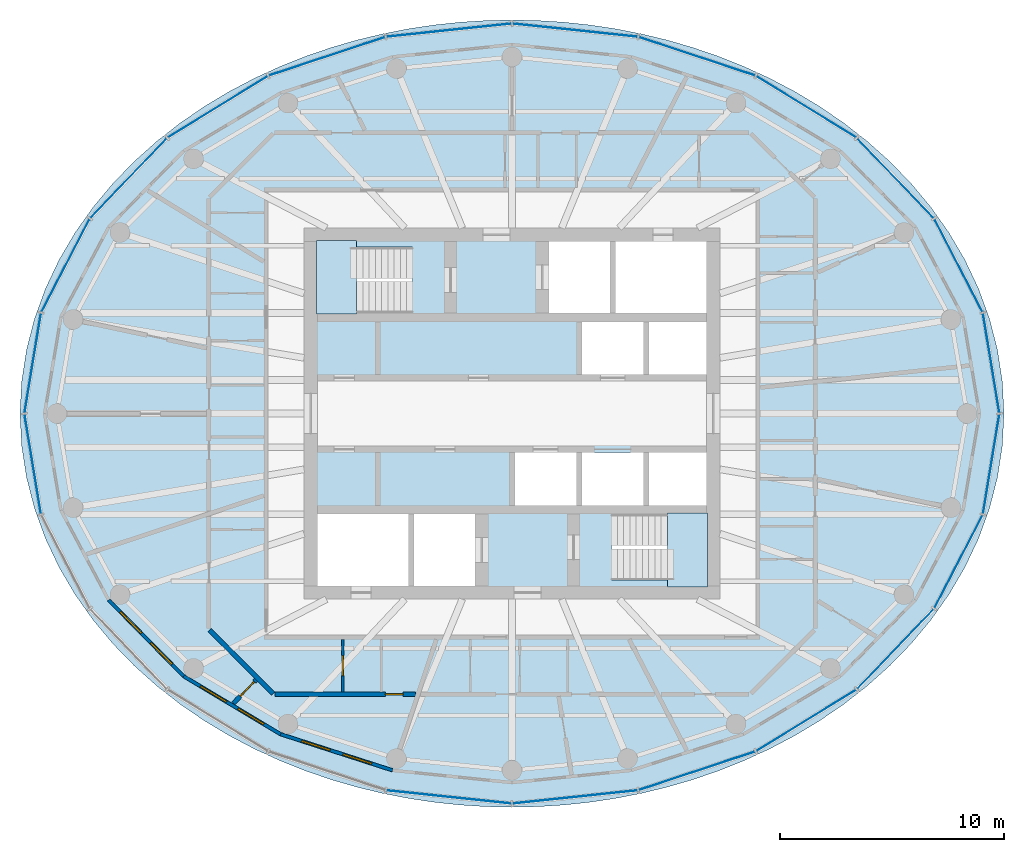
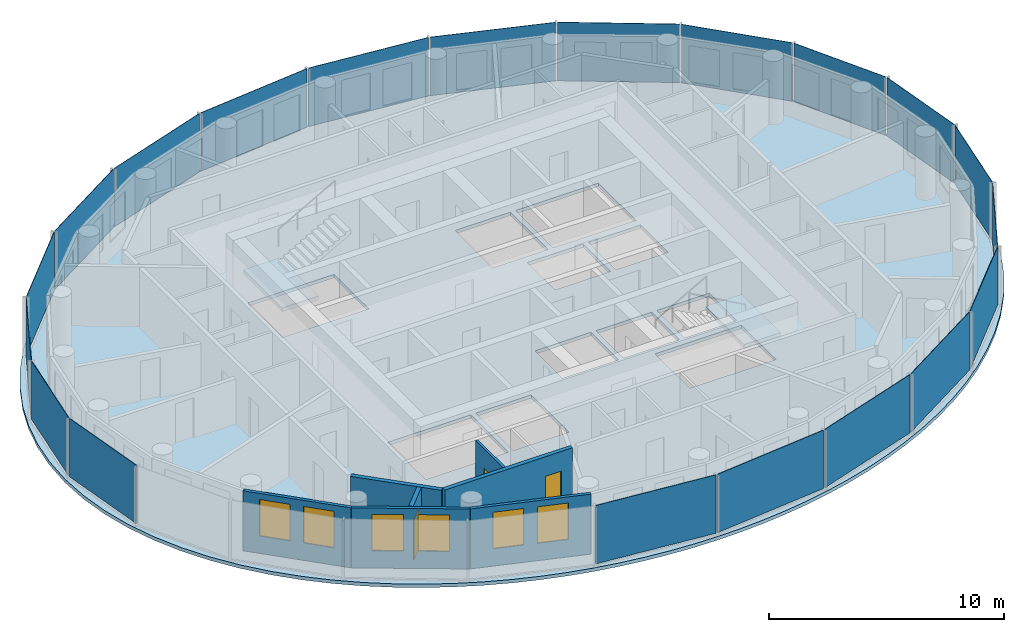
# One storey, part 4 of 11: 20 plates, 7 walls, 6 windows, 3 doors, 3 slabs, 9 openings, 6 elements without a shape of their own.
"""IFC4 building model written with IfcOpenShell, lengths in metres."""

from ifc_helpers import new_model, si_unit, direction, frame, frame_2d, origin, origin_2d, place, context, subcontext, project, spatial, polyline, rectangle, outline, extrude, material, layer, layer_set, type_object, element, fill, aggregate, save


model = new_model("IFC4")

# Units and contexts
model_context = context("Model", 3, precision=1e-05, world=origin(), true_north=direction((0.0, 1.0)))
body_context = subcontext(model_context, "Body", "Model", "MODEL_VIEW")
ifc_project = project(units=[si_unit("LENGTHUNIT", "METRE"), si_unit("AREAUNIT", "SQUARE_METRE"), si_unit("VOLUMEUNIT", "CUBIC_METRE"), si_unit("PLANEANGLEUNIT", "RADIAN"), si_unit("MASSUNIT", "GRAM", prefix="KILO")], contexts=[model_context])

# Site, building, storey
site_placement = place(None, origin())
site = spatial("IfcSite", under=ifc_project, at=site_placement, CompositionType="ELEMENT")
building_placement = place(site_placement, origin())
building = spatial("IfcBuilding", under=site, at=building_placement, Name="Hankou Lantern Tower", CompositionType="ELEMENT")
storey_placement = place(building_placement, frame((0.0, 0.0, 209.39990234375)))
storey = spatial("IfcBuildingStorey", under=building, at=storey_placement, Name="L56", CompositionType="ELEMENT", Elevation=209.39990234375)

# Curtain wall, plates
ifc_material_1 = material(Name="Glass, dark grey tinted laminated", Category="glass")
curtain_wall_type = type_object("IfcCurtainWallType", Name="CWD OUTER SKIN SUITE", PredefinedType="USERDEFINED", material=ifc_material_1)
curtain_wall_1_placement = place(storey_placement, origin())
curtain_wall_1 = element("IfcCurtainWall", 1, at=curtain_wall_1_placement, inside=storey, type_object=curtain_wall_type, Name="CWD L56 OS1", ObjectType="OUTER SKIN SUITE", PredefinedType="USERDEFINED")
ifc_material_2 = material(Name="Glass, dark grey tinted laminated", Category="glass")
ifc_layer_1 = layer(ifc_material_2, 0.02392578125)
ifc_layer_set_1 = layer_set([ifc_layer_1], Name="Glass, dark grey tinted laminated")
plate_type = type_object("IfcPlateType", Name="PN1 OUTER SKIN GLASS PANEL", PredefinedType="CURTAIN_PANEL", material=ifc_layer_set_1)
plate_1_placement = place(storey_placement, frame((21.4287109375, 2.2568359375, 0.080078125), z_axis=(0.0, 0.0, 1.0), x_axis=(-0.162381515188, 0.986728049427, 0.0)))
plate_1 = element("IfcPlate", 2, at=plate_1_placement, type_object=plate_type, Name="CWD glass panel 1", PredefinedType="CURTAIN_PANEL", context=body_context, shape_type="SweptSolid", body=[
    extrude(rectangle(XDim=4.49462890625, YDim=0.02392578125, at=origin_2d()), origin(), (0.0, 0.0, 1.0), 3.0400390625),
])
plate_2_placement = place(storey_placement, frame((19.96826171875, 6.616943359375, 0.080078125), z_axis=(0.0, 0.0, 1.0), x_axis=(-0.459791091957, 0.888027112062, 0.0)))
plate_2 = element("IfcPlate", 3, at=plate_2_placement, type_object=plate_type, Name="CWD glass panel 2", PredefinedType="CURTAIN_PANEL", context=body_context, shape_type="SweptSolid", body=[
    extrude(rectangle(XDim=4.656494140625, YDim=0.02392578125, at=origin_2d()), origin(), (0.0, 0.0, 1.0), 3.0400390625),
])
plate_3_placement = place(storey_placement, frame((17.147216796875, 10.52587890625, 0.080078125), z_axis=(0.0, 0.0, 1.0), x_axis=(-0.692215809936, 0.721690565599, 0.0)))
plate_3 = element("IfcPlate", 4, at=plate_3_placement, type_object=plate_type, Name="CWD glass panel 3", PredefinedType="CURTAIN_PANEL", context=body_context, shape_type="SweptSolid", body=[
    extrude(rectangle(XDim=4.9248046875, YDim=0.02392578125, at=origin_2d()), origin(), (0.0, 0.0, 1.0), 3.0400390625),
])
plate_4_placement = place(storey_placement, frame((13.157470703125, 13.7177734375, 0.080078125), z_axis=(0.0, 0.0, 1.0), x_axis=(-0.852237151549, 0.523155653242, 0.0)))
plate_4 = element("IfcPlate", 5, at=plate_4_placement, type_object=plate_type, Name="CWD glass panel 4", PredefinedType="CURTAIN_PANEL", context=body_context, shape_type="SweptSolid", body=[
    extrude(rectangle(XDim=5.2177734375, YDim=0.02392578125, at=origin_2d()), origin(), (0.0, 0.0, 1.0), 3.0400390625),
])
plate_5_placement = place(storey_placement, frame((8.271240234375, 15.974609375, 0.080078125), z_axis=(0.0, 0.0, 1.0), x_axis=(-0.949240677293, 0.31455068999, 0.0)))
plate_5 = element("IfcPlate", 6, at=plate_5_placement, type_object=plate_type, Name="CWD glass panel 5", PredefinedType="CURTAIN_PANEL", context=body_context, shape_type="SweptSolid", body=[
    extrude(rectangle(XDim=5.458984375, YDim=0.02392578125, at=origin_2d()), origin(), (0.0, 0.0, 1.0), 3.0400390625),
])
plate_6_placement = place(storey_placement, frame((2.821044921875, 17.142822265625, 0.080078125), z_axis=(0.0, 0.0, 1.0), x_axis=(-0.994499359107, 0.104742659579, 0.0)))
plate_6 = element("IfcPlate", 7, at=plate_6_placement, type_object=plate_type, Name="CWD glass panel 6", PredefinedType="CURTAIN_PANEL", context=body_context, shape_type="SweptSolid", body=[
    extrude(rectangle(XDim=5.593505859375, YDim=0.02392578125, at=origin_2d()), origin(), (0.0, 0.0, 1.0), 3.0400390625),
])
aggregate(curtain_wall_1, [plate_1, plate_2, plate_3, plate_4, plate_5, plate_6])

curtain_wall_2_placement = place(storey_placement, origin())
curtain_wall_2 = element("IfcCurtainWall", 8, at=curtain_wall_2_placement, inside=storey, type_object=curtain_wall_type, Name="CWD L56 OS2", ObjectType="OUTER SKIN SUITE", PredefinedType="USERDEFINED")
plate_7_placement = place(storey_placement, frame((-2.821044921875, 17.142822265625, 0.080078125), z_axis=(0.0, 0.0, 1.0), x_axis=(-0.994499359107, -0.104742659579, 0.0)))
plate_7 = element("IfcPlate", 9, at=plate_7_placement, type_object=plate_type, Name="CWD glass panel 1", PredefinedType="CURTAIN_PANEL", context=body_context, shape_type="SweptSolid", body=[
    extrude(rectangle(XDim=5.593505859375, YDim=0.02392578125, at=origin_2d()), origin(), (0.0, 0.0, 1.0), 3.0400390625),
])
plate_8_placement = place(storey_placement, frame((-8.271240234375, 15.974609375, 0.080078125), z_axis=(0.0, 0.0, 1.0), x_axis=(-0.949240677293, -0.31455068999, 0.0)))
plate_8 = element("IfcPlate", 10, at=plate_8_placement, type_object=plate_type, Name="CWD glass panel 2", PredefinedType="CURTAIN_PANEL", context=body_context, shape_type="SweptSolid", body=[
    extrude(rectangle(XDim=5.458984375, YDim=0.02392578125, at=origin_2d()), origin(), (0.0, 0.0, 1.0), 3.0400390625),
])
plate_9_placement = place(storey_placement, frame((-13.157470703125, 13.7177734375, 0.080078125), z_axis=(0.0, 0.0, 1.0), x_axis=(-0.852237151549, -0.523155653242, 0.0)))
plate_9 = element("IfcPlate", 11, at=plate_9_placement, type_object=plate_type, Name="CWD glass panel 3", PredefinedType="CURTAIN_PANEL", context=body_context, shape_type="SweptSolid", body=[
    extrude(rectangle(XDim=5.2177734375, YDim=0.02392578125, at=origin_2d()), origin(), (0.0, 0.0, 1.0), 3.0400390625),
])
plate_10_placement = place(storey_placement, frame((-17.147216796875, 10.52587890625, 0.080078125), z_axis=(0.0, 0.0, 1.0), x_axis=(-0.692215809936, -0.721690565599, 0.0)))
plate_10 = element("IfcPlate", 12, at=plate_10_placement, type_object=plate_type, Name="CWD glass panel 4", PredefinedType="CURTAIN_PANEL", context=body_context, shape_type="SweptSolid", body=[
    extrude(rectangle(XDim=4.9248046875, YDim=0.02392578125, at=origin_2d()), origin(), (0.0, 0.0, 1.0), 3.0400390625),
])
plate_11_placement = place(storey_placement, frame((-19.96826171875, 6.616943359375, 0.080078125), z_axis=(0.0, 0.0, 1.0), x_axis=(-0.459791091957, -0.888027112062, 0.0)))
plate_11 = element("IfcPlate", 13, at=plate_11_placement, type_object=plate_type, Name="CWD glass panel 5", PredefinedType="CURTAIN_PANEL", context=body_context, shape_type="SweptSolid", body=[
    extrude(rectangle(XDim=4.656494140625, YDim=0.02392578125, at=origin_2d()), origin(), (0.0, 0.0, 1.0), 3.0400390625),
])
plate_12_placement = place(storey_placement, frame((-21.4287109375, 2.2568359375, 0.080078125), z_axis=(0.0, 0.0, 1.0), x_axis=(-0.162381515188, -0.986728049427, 0.0)))
plate_12 = element("IfcPlate", 14, at=plate_12_placement, type_object=plate_type, Name="CWD glass panel 6", PredefinedType="CURTAIN_PANEL", context=body_context, shape_type="SweptSolid", body=[
    extrude(rectangle(XDim=4.49462890625, YDim=0.02392578125, at=origin_2d()), origin(), (0.0, 0.0, 1.0), 3.0400390625),
])
aggregate(curtain_wall_2, [plate_7, plate_8, plate_9, plate_10, plate_11, plate_12])

curtain_wall_3_placement = place(storey_placement, origin())
curtain_wall_3 = element("IfcCurtainWall", 15, at=curtain_wall_3_placement, inside=storey, type_object=curtain_wall_type, Name="CWD L56 OS3", ObjectType="OUTER SKIN SUITE", PredefinedType="USERDEFINED")
plate_13_placement = place(storey_placement, frame((-21.4287109375, -2.2568359375, 0.080078125), z_axis=(0.0, 0.0, 1.0), x_axis=(0.162381515188, -0.986728049427, 0.0)))
plate_13 = element("IfcPlate", 16, at=plate_13_placement, type_object=plate_type, Name="CWD glass panel 1", PredefinedType="CURTAIN_PANEL", context=body_context, shape_type="SweptSolid", body=[
    extrude(rectangle(XDim=4.49462890625, YDim=0.02392578125, at=origin_2d()), origin(), (0.0, 0.0, 1.0), 3.0400390625),
])
plate_14_placement = place(storey_placement, frame((-2.821044921875, -17.142822265625, 0.080078125), z_axis=(0.0, 0.0, 1.0), x_axis=(0.994499359107, -0.104742659579, 0.0)))
plate_14 = element("IfcPlate", 17, at=plate_14_placement, type_object=plate_type, Name="CWD glass panel 6", PredefinedType="CURTAIN_PANEL", context=body_context, shape_type="SweptSolid", body=[
    extrude(rectangle(XDim=5.593505859375, YDim=0.02392578125, at=origin_2d()), origin(), (0.0, 0.0, 1.0), 3.0400390625),
])
aggregate(curtain_wall_3, [plate_13, plate_14])

curtain_wall_4_placement = place(storey_placement, origin())
curtain_wall_4 = element("IfcCurtainWall", 18, at=curtain_wall_4_placement, inside=storey, type_object=curtain_wall_type, Name="CWD L56 OS4", ObjectType="OUTER SKIN SUITE", PredefinedType="USERDEFINED")
plate_15_placement = place(storey_placement, frame((2.821044921875, -17.142822265625, 0.080078125), z_axis=(0.0, 0.0, 1.0), x_axis=(0.994499359107, 0.104742659579, 0.0)))
plate_15 = element("IfcPlate", 19, at=plate_15_placement, type_object=plate_type, Name="CWD glass panel 1", PredefinedType="CURTAIN_PANEL", context=body_context, shape_type="SweptSolid", body=[
    extrude(rectangle(XDim=5.593505859375, YDim=0.02392578125, at=origin_2d()), origin(), (0.0, 0.0, 1.0), 3.0400390625),
])
plate_16_placement = place(storey_placement, frame((8.271240234375, -15.974609375, 0.080078125), z_axis=(0.0, 0.0, 1.0), x_axis=(0.949240677293, 0.31455068999, 0.0)))
plate_16 = element("IfcPlate", 20, at=plate_16_placement, type_object=plate_type, Name="CWD glass panel 2", PredefinedType="CURTAIN_PANEL", context=body_context, shape_type="SweptSolid", body=[
    extrude(rectangle(XDim=5.458984375, YDim=0.02392578125, at=origin_2d()), origin(), (0.0, 0.0, 1.0), 3.0400390625),
])
plate_17_placement = place(storey_placement, frame((13.157470703125, -13.7177734375, 0.080078125), z_axis=(0.0, 0.0, 1.0), x_axis=(0.852237151549, 0.523155653242, 0.0)))
plate_17 = element("IfcPlate", 21, at=plate_17_placement, type_object=plate_type, Name="CWD glass panel 3", PredefinedType="CURTAIN_PANEL", context=body_context, shape_type="SweptSolid", body=[
    extrude(rectangle(XDim=5.2177734375, YDim=0.02392578125, at=origin_2d()), origin(), (0.0, 0.0, 1.0), 3.0400390625),
])
plate_18_placement = place(storey_placement, frame((17.147216796875, -10.52587890625, 0.080078125), z_axis=(0.0, 0.0, 1.0), x_axis=(0.692215809936, 0.721690565599, 0.0)))
plate_18 = element("IfcPlate", 22, at=plate_18_placement, type_object=plate_type, Name="CWD glass panel 4", PredefinedType="CURTAIN_PANEL", context=body_context, shape_type="SweptSolid", body=[
    extrude(rectangle(XDim=4.9248046875, YDim=0.02392578125, at=origin_2d()), origin(), (0.0, 0.0, 1.0), 3.0400390625),
])
plate_19_placement = place(storey_placement, frame((19.96826171875, -6.616943359375, 0.080078125), z_axis=(0.0, 0.0, 1.0), x_axis=(0.459791091957, 0.888027112062, 0.0)))
plate_19 = element("IfcPlate", 23, at=plate_19_placement, type_object=plate_type, Name="CWD glass panel 5", PredefinedType="CURTAIN_PANEL", context=body_context, shape_type="SweptSolid", body=[
    extrude(rectangle(XDim=4.656494140625, YDim=0.02392578125, at=origin_2d()), origin(), (0.0, 0.0, 1.0), 3.0400390625),
])
plate_20_placement = place(storey_placement, frame((21.4287109375, -2.2568359375, 0.080078125), z_axis=(0.0, 0.0, 1.0), x_axis=(0.162381515188, 0.986728049427, 0.0)))
plate_20 = element("IfcPlate", 24, at=plate_20_placement, type_object=plate_type, Name="CWD glass panel 6", PredefinedType="CURTAIN_PANEL", context=body_context, shape_type="SweptSolid", body=[
    extrude(rectangle(XDim=4.49462890625, YDim=0.02392578125, at=origin_2d()), origin(), (0.0, 0.0, 1.0), 3.0400390625),
])
aggregate(curtain_wall_4, [plate_15, plate_16, plate_17, plate_18, plate_19, plate_20])

# Slab
ifc_material_3 = material(Name="Concrete C50", Category="concrete")
ifc_layer_2 = layer(ifc_material_3, 0.179931640625)
ifc_layer_set_2 = layer_set([ifc_layer_2], Name="Concrete C50")
slab_type_1 = type_object("IfcSlabType", Name="S1 CONCRETE FLOOR SLAB 180", PredefinedType="FLOOR", material=ifc_layer_set_2)
slab_1_placement = place(storey_placement, frame((0.0, 0.0, -0.179931640625)))
element("IfcSlab", 25, at=slab_1_placement, inside=storey, type_object=slab_type_1, Name="Floor slab L56", PredefinedType="FLOOR", context=body_context, shape_type="SweptSolid", body=[
    extrude(outline(polyline([(22.0, 0.0), (21.926513671875, 1.437255859375), (21.7080078125, 2.85791015625), (21.349853515625, 4.246826171875), (20.861083984375, 5.589599609375), (20.252197265625, 6.874755859375), (19.53662109375, 8.09228515625), (18.727783203125, 9.235595703125), (17.83935546875, 10.299560546875), (16.88525390625, 11.2822265625), (15.877197265625, 12.18310546875), (14.82666015625, 13.002685546875), (13.743408203125, 13.743408203125), (12.63525390625, 14.40771484375), (11.509521484375, 14.999267578125), (10.37109375, 15.521728515625), (9.224853515625, 15.97802734375), (8.07373046875, 16.3720703125), (6.920166015625, 16.70654296875), (5.765625, 16.98486328125), (4.611083984375, 17.208984375), (3.457275390625, 17.38134765625), (2.304443359375, 17.503173828125), (1.152099609375, 17.575927734375), (0.0, 17.60009765625), (-1.152099609375, 17.575927734375), (-2.304443359375, 17.503173828125), (-3.457275390625, 17.38134765625), (-4.611083984375, 17.208984375), (-5.765625, 16.98486328125), (-6.920166015625, 16.70654296875), (-8.07373046875, 16.3720703125), (-9.224853515625, 15.97802734375), (-10.37109375, 15.521728515625), (-11.509521484375, 14.999267578125), (-12.63525390625, 14.40771484375), (-13.743408203125, 13.743408203125), (-14.82666015625, 13.002685546875), (-15.877197265625, 12.18310546875), (-16.88525390625, 11.2822265625), (-17.83935546875, 10.299560546875), (-18.727783203125, 9.235595703125), (-19.53662109375, 8.09228515625), (-20.252197265625, 6.874755859375), (-20.861083984375, 5.589599609375), (-21.349853515625, 4.246826171875), (-21.7080078125, 2.85791015625), (-21.926513671875, 1.437255859375), (-22.0, 0.0), (-21.926513671875, -1.437255859375), (-21.7080078125, -2.85791015625), (-21.349853515625, -4.246826171875), (-20.861083984375, -5.589599609375), (-20.252197265625, -6.874755859375), (-19.53662109375, -8.09228515625), (-18.727783203125, -9.235595703125), (-17.83935546875, -10.299560546875), (-16.88525390625, -11.2822265625), (-15.877197265625, -12.18310546875), (-14.82666015625, -13.002685546875), (-13.743408203125, -13.743408203125), (-12.63525390625, -14.40771484375), (-11.509521484375, -14.999267578125), (-10.37109375, -15.521728515625), (-9.224853515625, -15.97802734375), (-8.07373046875, -16.3720703125), (-6.920166015625, -16.70654296875), (-5.765625, -16.98486328125), (-4.611083984375, -17.208984375), (-3.457275390625, -17.38134765625), (-2.304443359375, -17.503173828125), (-1.152099609375, -17.575927734375), (0.0, -17.60009765625), (1.152099609375, -17.575927734375), (2.304443359375, -17.503173828125), (3.457275390625, -17.38134765625), (4.611083984375, -17.208984375), (5.765625, -16.98486328125), (6.920166015625, -16.70654296875), (8.07373046875, -16.3720703125), (9.224853515625, -15.97802734375), (10.37109375, -15.521728515625), (11.509521484375, -14.999267578125), (12.63525390625, -14.40771484375), (13.743408203125, -13.743408203125), (14.82666015625, -13.002685546875), (15.877197265625, -12.18310546875), (16.88525390625, -11.2822265625), (17.83935546875, -10.299560546875), (18.727783203125, -9.235595703125), (19.53662109375, -8.09228515625), (20.252197265625, -6.874755859375), (20.861083984375, -5.589599609375), (21.349853515625, -4.246826171875), (21.7080078125, -2.85791015625), (21.926513671875, -1.437255859375), (22.0, 0.0)]), holes=[polyline([(3.125, 4.10009765625), (5.875, 4.10009765625), (5.875, 1.75), (3.125, 1.75), (3.125, 4.10009765625)]), polyline([(6.125, 4.10009765625), (8.699951171875, 4.10009765625), (8.699951171875, 1.75), (6.125, 1.75), (6.125, 4.10009765625)]), polyline([(0.125, -1.75), (2.875, -1.75), (2.875, -4.10009765625), (0.125, -4.10009765625), (0.125, -1.75)]), polyline([(3.125, -1.75), (5.875, -1.75), (5.875, -4.10009765625), (3.125, -4.10009765625), (3.125, -1.75)]), polyline([(6.125, -1.75), (8.699951171875, -1.75), (8.699951171875, -4.10009765625), (6.125, -4.10009765625), (6.125, -1.75)]), polyline([(1.64990234375, 7.699951171875), (4.375, 7.699951171875), (4.375, 4.5), (1.64990234375, 4.5), (1.64990234375, 7.699951171875)]), polyline([(-4.375, -4.5), (-1.64990234375, -4.5), (-1.64990234375, -7.699951171875), (-4.375, -7.699951171875), (-4.375, -4.5)]), polyline([(-8.699951171875, 7.449951171875), (-4.449951171875, 7.449951171875), (-4.449951171875, 4.5), (-8.699951171875, 4.5), (-8.699951171875, 7.449951171875)]), polyline([(4.449951171875, -4.5), (8.699951171875, -4.5), (8.699951171875, -7.449951171875), (4.449951171875, -7.449951171875), (4.449951171875, -4.5)]), polyline([(4.625, 7.699951171875), (8.699951171875, 7.699951171875), (8.699951171875, 4.5), (4.625, 4.5), (4.625, 7.699951171875)]), polyline([(-8.699951171875, -4.5), (-4.625, -4.5), (-4.625, -7.699951171875), (-8.699951171875, -7.699951171875), (-8.699951171875, -4.5)])]), origin(), (0.0, 0.0, 1.0), 0.179931640625),
])

# Stair, slab
ifc_material_4 = material(Name="Concrete C40", Category="concrete")
stair_type = type_object("IfcStairType", Name="ST33 CORE STAIR 3300 RISE", PredefinedType="HALF_TURN_STAIR", material=ifc_material_4)
stair_1_placement = place(storey_placement, origin())
stair_1 = element("IfcStair", 26, at=stair_1_placement, inside=storey, type_object=stair_type, Name="Stair STA L56", PredefinedType="HALF_TURN_STAIR")
ifc_material_5 = material(Name="Concrete C40", Category="concrete")
ifc_layer_3 = layer(ifc_material_5, 0.199951171875)
ifc_layer_set_3 = layer_set([ifc_layer_3], Name="Concrete C40")
slab_type_2 = type_object("IfcSlabType", Name="SL1 STAIR LANDING 200", PredefinedType="LANDING", material=ifc_layer_set_3)
slab_2_placement = place(storey_placement, frame((0.0, 0.0, 1.37158203125)))
slab_2 = element("IfcSlab", 27, at=slab_2_placement, type_object=slab_type_2, Name="STA landing 1", PredefinedType="LANDING", context=body_context, shape_type="SweptSolid", body=[
    extrude(outline(polyline([(-8.75, 4.449951171875), (-6.949951171875, 4.449951171875), (-6.949951171875, 7.75), (-8.75, 7.75), (-8.75, 4.449951171875)])), origin(), (0.0, 0.0, 1.0), 0.199951171875),
])
aggregate(stair_1, [slab_2])

stair_2_placement = place(storey_placement, origin())
stair_2 = element("IfcStair", 28, at=stair_2_placement, inside=storey, type_object=stair_type, Name="Stair STB L56", PredefinedType="HALF_TURN_STAIR")
slab_3_placement = place(storey_placement, frame((0.0, 0.0, 1.37158203125)))
slab_3 = element("IfcSlab", 29, at=slab_3_placement, type_object=slab_type_2, Name="STB landing 1", PredefinedType="LANDING", context=body_context, shape_type="SweptSolid", body=[
    extrude(outline(polyline([(8.75, -4.449951171875), (6.949951171875, -4.449951171875), (6.949951171875, -7.75), (8.75, -7.75), (8.75, -4.449951171875)])), origin(), (0.0, 0.0, 1.0), 0.199951171875),
])
aggregate(stair_2, [slab_3])

# Wall, openings, windows
ifc_material_6 = material(Name="Aluminium spandrel panel on steel studs", Category="steel")
ifc_layer_4 = layer(ifc_material_6, 0.14990234375)
ifc_layer_set_4 = layer_set([ifc_layer_4], Name="Aluminium spandrel panel on steel studs")
wall_type_1 = type_object("IfcWallType", Name="EW1 INNER SKIN WALL 150", PredefinedType="ELEMENTEDWALL", material=ifc_layer_set_4)
wall_1_placement = place(storey_placement, frame((-18.03955078125, -8.33203125, 0.0), z_axis=(0.0, 0.0, 1.0), x_axis=(0.701527379618, -0.712642501993, 0.0)))
wall_1 = element("IfcWall", 30, at=wall_1_placement, inside=storey, type_object=wall_type_1, Name="Inner skin R15-R16 L56", PredefinedType="ELEMENTEDWALL", context=body_context, shape_type="SweptSolid", body=[
    extrude(rectangle(XDim=4.788330078125, YDim=0.14990234375, at=frame_2d((2.39404296875, 0.0))), origin(), (0.0, 0.0, 1.0), 3.1201171875),
])
opening_1_placement = place(wall_1_placement, frame((0.744140625, 0.0, 0.89990234375)))
opening_1 = element("IfcOpeningElement", 31, at=opening_1_placement, cuts=wall_1, Name="Opening W4", PredefinedType="OPENING", context=body_context, shape_type="SweptSolid", body=[
    extrude(rectangle(XDim=1.35009765625, YDim=1.89990234375, at=frame_2d((0.675048828125, 0.949951171875))), frame((0.0, 0.0849609375, 0.0), z_axis=(0.0, -1.0, 0.0), x_axis=(1.0, 0.0, 0.0)), (0.0, 0.0, 1.0), 0.169921875),
])
opening_2_placement = place(wall_1_placement, frame((2.694091796875, 0.0, 0.89990234375)))
opening_2 = element("IfcOpeningElement", 32, at=opening_2_placement, cuts=wall_1, Name="Opening W4", PredefinedType="OPENING", context=body_context, shape_type="SweptSolid", body=[
    extrude(rectangle(XDim=1.35009765625, YDim=1.89990234375, at=frame_2d((0.675048828125, 0.949951171875))), frame((0.0, 0.0849609375, 0.0), z_axis=(0.0, -1.0, 0.0), x_axis=(1.0, 0.0, 0.0)), (0.0, 0.0, 1.0), 0.169921875),
])
ifc_material_7 = material(Name="Aluminium framed double glazed window", Category="aluminium")
window_type = type_object("IfcWindowType", Name="W4 SUITE WINDOW 1350X1900", PartitioningType="DOUBLE_PANEL_VERTICAL", PredefinedType="WINDOW", material=ifc_material_7)
window_1_placement = place(opening_1_placement, origin())
window_1 = element("IfcWindow", 33, at=window_1_placement, inside=storey, type_object=window_type, Name="Window R15.1 L56", OverallHeight=1.89990234375, OverallWidth=1.35009765625, PartitioningType="SINGLE_PANEL", PredefinedType="WINDOW", context=body_context, shape_type="SweptSolid", body=[
    extrude(rectangle(XDim=1.35009765625, YDim=1.89990234375, at=frame_2d((0.675048828125, 0.949951171875))), frame((0.0, 0.030029296875, 0.0), z_axis=(0.0, -1.0, 0.0), x_axis=(1.0, 0.0, 0.0)), (0.0, 0.0, 1.0), 0.06005859375),
])
fill(opening_1, window_1)
window_2_placement = place(opening_2_placement, origin())
window_2 = element("IfcWindow", 34, at=window_2_placement, inside=storey, type_object=window_type, Name="Window R15.2 L56", OverallHeight=1.89990234375, OverallWidth=1.35009765625, PartitioningType="SINGLE_PANEL", PredefinedType="WINDOW", context=body_context, shape_type="SweptSolid", body=[
    extrude(rectangle(XDim=1.35009765625, YDim=1.89990234375, at=frame_2d((0.675048828125, 0.949951171875))), frame((0.0, 0.030029296875, 0.0), z_axis=(0.0, -1.0, 0.0), x_axis=(1.0, 0.0, 0.0)), (0.0, 0.0, 1.0), 0.06005859375),
])
fill(opening_2, window_2)

wall_2_placement = place(storey_placement, frame((-14.680419921875, -11.744384765625, 0.0), z_axis=(0.0, 0.0, 1.0), x_axis=(0.85822150553, -0.513279502265, 0.0)))
wall_2 = element("IfcWall", 35, at=wall_2_placement, inside=storey, type_object=wall_type_1, Name="Inner skin R16-R17 L56", PredefinedType="ELEMENTEDWALL", context=body_context, shape_type="SweptSolid", body=[
    extrude(rectangle(XDim=5.050048828125, YDim=0.14990234375, at=frame_2d((2.52490234375, 0.0))), origin(), (0.0, 0.0, 1.0), 3.1201171875),
])
opening_3_placement = place(wall_2_placement, frame((0.875, 0.0, 0.89990234375)))
opening_3 = element("IfcOpeningElement", 36, at=opening_3_placement, cuts=wall_2, Name="Opening W4", PredefinedType="OPENING", context=body_context, shape_type="SweptSolid", body=[
    extrude(rectangle(XDim=1.35009765625, YDim=1.89990234375, at=frame_2d((0.675048828125, 0.949951171875))), frame((0.0, 0.0849609375, 0.0), z_axis=(0.0, -1.0, 0.0), x_axis=(1.0, 0.0, 0.0)), (0.0, 0.0, 1.0), 0.169921875),
])
opening_4_placement = place(wall_2_placement, frame((2.824951171875, 0.0, 0.89990234375)))
opening_4 = element("IfcOpeningElement", 37, at=opening_4_placement, cuts=wall_2, Name="Opening W4", PredefinedType="OPENING", context=body_context, shape_type="SweptSolid", body=[
    extrude(rectangle(XDim=1.35009765625, YDim=1.89990234375, at=frame_2d((0.675048828125, 0.949951171875))), frame((0.0, 0.0849609375, 0.0), z_axis=(0.0, -1.0, 0.0), x_axis=(1.0, 0.0, 0.0)), (0.0, 0.0, 1.0), 0.169921875),
])
window_3_placement = place(opening_3_placement, origin())
window_3 = element("IfcWindow", 38, at=window_3_placement, inside=storey, type_object=window_type, Name="Window R16.1 L56", OverallHeight=1.89990234375, OverallWidth=1.35009765625, PartitioningType="SINGLE_PANEL", PredefinedType="WINDOW", context=body_context, shape_type="SweptSolid", body=[
    extrude(rectangle(XDim=1.35009765625, YDim=1.89990234375, at=frame_2d((0.675048828125, 0.949951171875))), frame((0.0, 0.030029296875, 0.0), z_axis=(0.0, -1.0, 0.0), x_axis=(1.0, 0.0, 0.0)), (0.0, 0.0, 1.0), 0.06005859375),
])
fill(opening_3, window_3)
window_4_placement = place(opening_4_placement, origin())
window_4 = element("IfcWindow", 39, at=window_4_placement, inside=storey, type_object=window_type, Name="Window R16.2 L56", OverallHeight=1.89990234375, OverallWidth=1.35009765625, PartitioningType="SINGLE_PANEL", PredefinedType="WINDOW", context=body_context, shape_type="SweptSolid", body=[
    extrude(rectangle(XDim=1.35009765625, YDim=1.89990234375, at=frame_2d((0.675048828125, 0.949951171875))), frame((0.0, 0.030029296875, 0.0), z_axis=(0.0, -1.0, 0.0), x_axis=(1.0, 0.0, 0.0)), (0.0, 0.0, 1.0), 0.06005859375),
])
fill(opening_4, window_4)

wall_3_placement = place(storey_placement, frame((-10.346435546875, -14.33642578125, 0.0), z_axis=(0.0, 0.0, 1.0), x_axis=(0.951644702515, -0.307200846638, 0.0)))
wall_3 = element("IfcWall", 40, at=wall_3_placement, inside=storey, type_object=wall_type_1, Name="Inner skin R17-R18 L56", PredefinedType="ELEMENTEDWALL", context=body_context, shape_type="SweptSolid", body=[
    extrude(rectangle(XDim=5.2578125, YDim=0.14990234375, at=frame_2d((2.62890625, 0.0))), origin(), (0.0, 0.0, 1.0), 3.1201171875),
])
opening_5_placement = place(wall_3_placement, frame((0.97900390625, 0.0, 0.89990234375)))
opening_5 = element("IfcOpeningElement", 41, at=opening_5_placement, cuts=wall_3, Name="Opening W4", PredefinedType="OPENING", context=body_context, shape_type="SweptSolid", body=[
    extrude(rectangle(XDim=1.35009765625, YDim=1.89990234375, at=frame_2d((0.675048828125, 0.949951171875))), frame((0.0, 0.0849609375, 0.0), z_axis=(0.0, -1.0, 0.0), x_axis=(1.0, 0.0, 0.0)), (0.0, 0.0, 1.0), 0.169921875),
])
opening_6_placement = place(wall_3_placement, frame((2.928955078125, 0.0, 0.89990234375)))
opening_6 = element("IfcOpeningElement", 42, at=opening_6_placement, cuts=wall_3, Name="Opening W4", PredefinedType="OPENING", context=body_context, shape_type="SweptSolid", body=[
    extrude(rectangle(XDim=1.35009765625, YDim=1.89990234375, at=frame_2d((0.675048828125, 0.949951171875))), frame((0.0, 0.0849609375, 0.0), z_axis=(0.0, -1.0, 0.0), x_axis=(1.0, 0.0, 0.0)), (0.0, 0.0, 1.0), 0.169921875),
])
window_5_placement = place(opening_5_placement, origin())
window_5 = element("IfcWindow", 43, at=window_5_placement, inside=storey, type_object=window_type, Name="Window R17.1 L56", OverallHeight=1.89990234375, OverallWidth=1.35009765625, PartitioningType="SINGLE_PANEL", PredefinedType="WINDOW", context=body_context, shape_type="SweptSolid", body=[
    extrude(rectangle(XDim=1.35009765625, YDim=1.89990234375, at=frame_2d((0.675048828125, 0.949951171875))), frame((0.0, 0.030029296875, 0.0), z_axis=(0.0, -1.0, 0.0), x_axis=(1.0, 0.0, 0.0)), (0.0, 0.0, 1.0), 0.06005859375),
])
fill(opening_5, window_5)
window_6_placement = place(opening_6_placement, origin())
window_6 = element("IfcWindow", 44, at=window_6_placement, inside=storey, type_object=window_type, Name="Window R17.2 L56", OverallHeight=1.89990234375, OverallWidth=1.35009765625, PartitioningType="SINGLE_PANEL", PredefinedType="WINDOW", context=body_context, shape_type="SweptSolid", body=[
    extrude(rectangle(XDim=1.35009765625, YDim=1.89990234375, at=frame_2d((0.675048828125, 0.949951171875))), frame((0.0, 0.030029296875, 0.0), z_axis=(0.0, -1.0, 0.0), x_axis=(1.0, 0.0, 0.0)), (0.0, 0.0, 1.0), 0.06005859375),
])
fill(opening_6, window_6)

# Wall, opening, door
ifc_material_8 = material(Name="Masonry lightweight concrete block", Category="masonry")
ifc_layer_5 = layer(ifc_material_8, 0.1201171875)
ifc_layer_set_5 = layer_set([ifc_layer_5], Name="Masonry lightweight concrete block")
wall_type_2 = type_object("IfcWallType", Name="IW3 BATHROOM WALL 120", PredefinedType="PARTITIONING", material=ifc_layer_set_5)
wall_4_placement = place(storey_placement, frame((-7.5693359375, -10.10009765625, 0.0), z_axis=(0.0, 0.0, 1.0), x_axis=(0.0, -1.0, 0.0)))
wall_4 = element("IfcWall", 45, at=wall_4_placement, inside=storey, type_object=wall_type_2, Name="Box wall 5604 2", PredefinedType="PARTITIONING", context=body_context, shape_type="SweptSolid", body=[
    extrude(rectangle(XDim=2.349853515625, YDim=0.1201171875, at=frame_2d((1.1748046875, 0.0))), origin(), (0.0, 0.0, 1.0), 3.1201171875),
])
opening_7_placement = place(wall_4_placement, frame((0.719970703125, 0.0, 0.0)))
opening_7 = element("IfcOpeningElement", 46, at=opening_7_placement, cuts=wall_4, Name="Opening D27", PredefinedType="OPENING", context=body_context, shape_type="SweptSolid", body=[
    extrude(rectangle(XDim=0.89990234375, YDim=2.10009765625, at=frame_2d((0.449951171875, 1.050048828125))), frame((0.0, 0.070068359375, 0.0), z_axis=(0.0, -1.0, 0.0), x_axis=(1.0, 0.0, 0.0)), (0.0, 0.0, 1.0), 0.14013671875),
])
ifc_material_9 = material(Name="Timber door leaf", Category="wood")
door_type_1 = type_object("IfcDoorType", Name="D27 INTERNAL DOOR 900X2100", OperationType="SINGLE_SWING_LEFT", PredefinedType="DOOR", material=ifc_material_9)
door_1_placement = place(opening_7_placement, origin())
door_1 = element("IfcDoor", 47, at=door_1_placement, inside=storey, type_object=door_type_1, Name="Suite 5604 walk-in wardrobe door", OperationType="SINGLE_SWING_LEFT", OverallHeight=2.10009765625, OverallWidth=0.89990234375, PredefinedType="DOOR", context=body_context, shape_type="SweptSolid", body=[
    extrude(rectangle(XDim=0.89990234375, YDim=2.10009765625, at=frame_2d((0.449951171875, 1.050048828125))), frame((0.0, 0.02490234375, 0.0), z_axis=(0.0, -1.0, 0.0), x_axis=(1.0, 0.0, 0.0)), (0.0, 0.0, 1.0), 0.050048828125),
])
fill(opening_7, door_1)

# Wall
ifc_material_10 = material(Name="Masonry lightweight concrete block", Category="masonry")
ifc_layer_6 = layer(ifc_material_10, 0.199951171875)
ifc_layer_set_6 = layer_set([ifc_layer_6], Name="Masonry lightweight concrete block")
wall_type_3 = type_object("IfcWallType", Name="IW6 SUITE PARTITION 200", PredefinedType="PARTITIONING", material=ifc_layer_set_6)
wall_5_placement = place(storey_placement, frame((-13.520751953125, -9.67919921875, 0.0), z_axis=(0.0, 0.0, 1.0), x_axis=(0.707106781187, -0.707106781187, 0.0)))
element("IfcWall", 48, at=wall_5_placement, inside=storey, type_object=wall_type_3, Name="Suite foyer wall 5604", PredefinedType="PARTITIONING", context=body_context, shape_type="SweptSolid", body=[
    extrude(rectangle(XDim=4.0185546875, YDim=0.199951171875, at=frame_2d((2.00927734375, 0.0))), origin(), (0.0, 0.0, 1.0), 3.1201171875),
])

# Wall, opening, door
wall_6_placement = place(storey_placement, frame((-10.608642578125, -12.550048828125, 0.0), z_axis=(0.0, 0.0, 1.0), x_axis=(1.0, 0.0, 0.0)))
wall_6 = element("IfcWall", 49, at=wall_6_placement, inside=storey, type_object=wall_type_3, Name="Suite foyer wall 5604", PredefinedType="PARTITIONING", context=body_context, shape_type="SweptSolid", body=[
    extrude(rectangle(XDim=6.28369140625, YDim=0.199951171875, at=frame_2d((3.141845703125, 0.0))), origin(), (0.0, 0.0, 1.0), 3.1201171875),
])
opening_8_placement = place(wall_6_placement, frame((4.944091796875, 0.0, 0.0)))
opening_8 = element("IfcOpeningElement", 50, at=opening_8_placement, cuts=wall_6, Name="Opening D3", PredefinedType="OPENING", context=body_context, shape_type="SweptSolid", body=[
    extrude(rectangle(XDim=0.800048828125, YDim=2.10009765625, at=frame_2d((0.39990234375, 1.050048828125))), frame((0.0, 0.10986328125, 0.0), z_axis=(0.0, -1.0, 0.0), x_axis=(1.0, 0.0, 0.0)), (0.0, 0.0, 1.0), 0.219970703125),
])
ifc_material_11 = material(Name="Timber door leaf", Category="wood")
door_type_2 = type_object("IfcDoorType", Name="D3 BATHROOM DOOR 800X2100", OperationType="SINGLE_SWING_LEFT", PredefinedType="DOOR", material=ifc_material_11)
door_2_placement = place(opening_8_placement, origin())
door_2 = element("IfcDoor", 51, at=door_2_placement, inside=storey, type_object=door_type_2, Name="Suite 5604 bathroom door", OperationType="SINGLE_SWING_LEFT", OverallHeight=2.10009765625, OverallWidth=0.800048828125, PredefinedType="DOOR", context=body_context, shape_type="SweptSolid", body=[
    extrude(rectangle(XDim=0.800048828125, YDim=2.10009765625, at=frame_2d((0.39990234375, 1.050048828125))), frame((0.0, 0.02490234375, 0.0), z_axis=(0.0, -1.0, 0.0), x_axis=(1.0, 0.0, 0.0)), (0.0, 0.0, 1.0), 0.050048828125),
])
fill(opening_8, door_2)

wall_7_placement = place(storey_placement, frame((-11.44091796875, -11.900390625, 0.0), z_axis=(0.0, 0.0, 1.0), x_axis=(-0.692958717259, -0.720977264672, 0.0)))
wall_7 = element("IfcWall", 52, at=wall_7_placement, inside=storey, type_object=wall_type_3, Name="Suite partition R16-R17", PredefinedType="PARTITIONING", context=body_context, shape_type="SweptSolid", body=[
    extrude(rectangle(XDim=1.4638671875, YDim=0.199951171875, at=frame_2d((0.73193359375, 0.0))), origin(), (0.0, 0.0, 1.0), 3.1201171875),
])
opening_9_placement = place(wall_7_placement, frame((0.1201171875, 0.0, 0.0)))
opening_9 = element("IfcOpeningElement", 53, at=opening_9_placement, cuts=wall_7, Name="Opening D27", PredefinedType="OPENING", context=body_context, shape_type="SweptSolid", body=[
    extrude(rectangle(XDim=0.89990234375, YDim=2.10009765625, at=frame_2d((0.449951171875, 1.050048828125))), frame((0.0, 0.10986328125, 0.0), z_axis=(0.0, -1.0, 0.0), x_axis=(1.0, 0.0, 0.0)), (0.0, 0.0, 1.0), 0.219970703125),
])
door_3_placement = place(opening_9_placement, origin())
door_3 = element("IfcDoor", 54, at=door_3_placement, inside=storey, type_object=door_type_1, Name="Suite 5604 bedroom door", OperationType="SINGLE_SWING_LEFT", OverallHeight=2.10009765625, OverallWidth=0.89990234375, PredefinedType="DOOR", context=body_context, shape_type="SweptSolid", body=[
    extrude(rectangle(XDim=0.89990234375, YDim=2.10009765625, at=frame_2d((0.449951171875, 1.050048828125))), frame((0.0, 0.02490234375, 0.0), z_axis=(0.0, -1.0, 0.0), x_axis=(1.0, 0.0, 0.0)), (0.0, 0.0, 1.0), 0.050048828125),
])
fill(opening_9, door_3)

save(model, "model.ifc")
